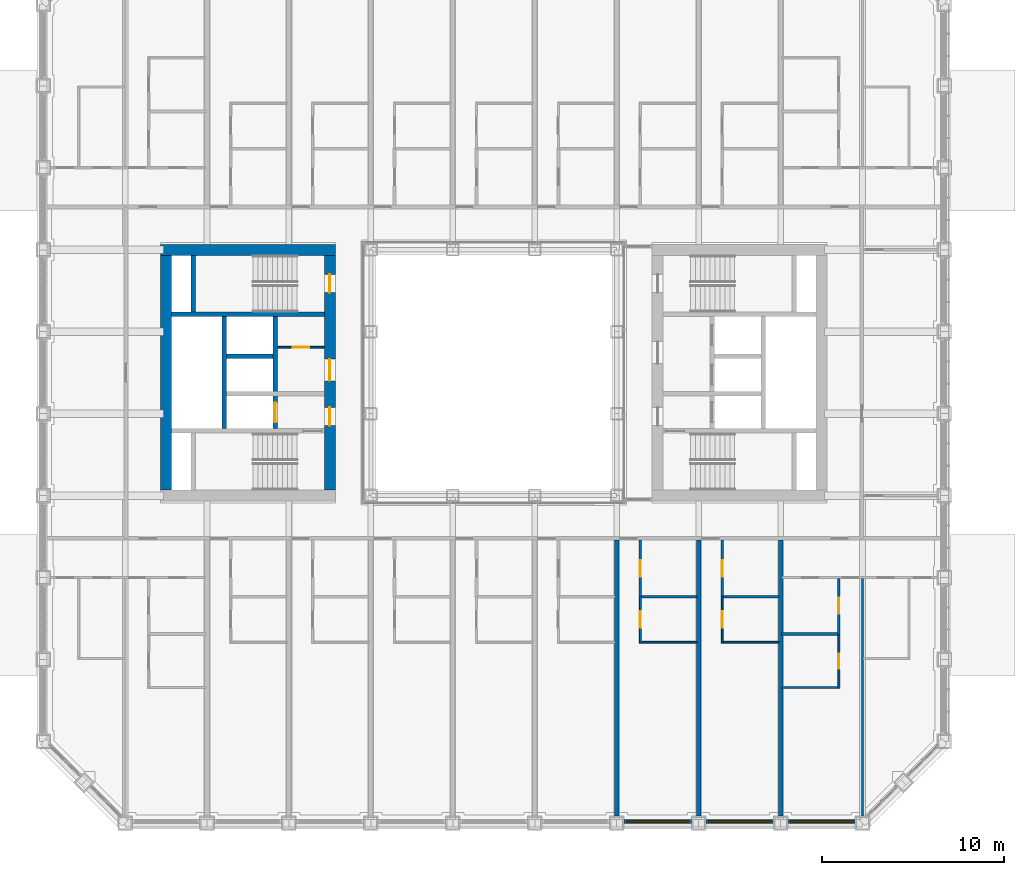
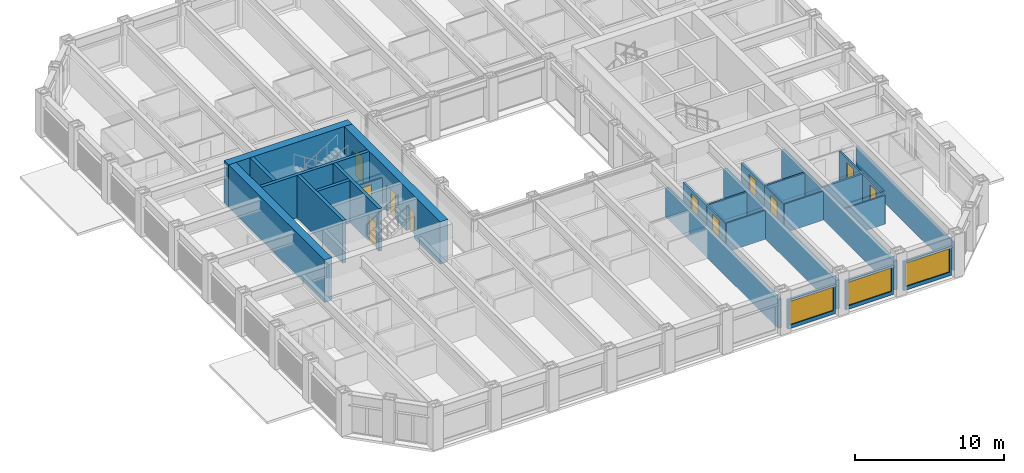
# One storey, part 14 of 24: 28 walls, 11 doors, 3 windows, 14 openings.
"""IFC4 building model written with IfcOpenShell, lengths in metres."""

from ifc_helpers import new_model, si_unit, direction, frame, frame_2d, origin, place, context, subcontext, project, spatial, rectangle, extrude, material, layer, layer_set, type_object, element, fill, save


model = new_model("IFC4")

# Units and contexts
model_context = context("Model", 3, precision=1e-05, world=origin(), true_north=direction((0.0, 1.0)))
body_context = subcontext(model_context, "Body", "Model", "MODEL_VIEW")
ifc_project = project(units=[si_unit("LENGTHUNIT", "METRE"), si_unit("AREAUNIT", "SQUARE_METRE"), si_unit("VOLUMEUNIT", "CUBIC_METRE"), si_unit("PLANEANGLEUNIT", "RADIAN"), si_unit("MASSUNIT", "GRAM", prefix="KILO")], contexts=[model_context])

# Site, building, storey
site_placement = place(None, origin())
site = spatial("IfcSite", under=ifc_project, at=site_placement, CompositionType="ELEMENT")
building_placement = place(site_placement, origin())
building = spatial("IfcBuilding", under=site, at=building_placement, Name="Msasa Ring Tower", CompositionType="ELEMENT")
storey_placement = place(building_placement, frame((0.0, 0.0, 26.5)))
storey = spatial("IfcBuildingStorey", under=building, at=storey_placement, Name="L05", CompositionType="ELEMENT", Elevation=26.5)

# Wall
ifc_material_1 = material(Name="Concrete C60/75", Category="concrete")
ifc_layer_1 = layer(ifc_material_1, 0.60009765625)
ifc_layer_set_1 = layer_set([ifc_layer_1], Name="CW1 CORE WALL 600")
wall_type_1 = type_object("IfcWallType", Name="CW1 CORE WALL 600", PredefinedType="SHEAR", material=ifc_layer_set_1)
wall_1_placement = place(storey_placement, frame((-8.699951171875, 6.75, 0.0), z_axis=(0.0, 0.0, 1.0), x_axis=(-1.0, 0.0, 0.0)))
element("IfcWall", 1, at=wall_1_placement, inside=storey, type_object=wall_type_1, Name="W core wall N L05", PredefinedType="SHEAR", context=body_context, shape_type="SweptSolid", body=[
    extrude(rectangle(XDim=9.60009765625, YDim=0.60009765625, at=frame_2d((4.800048828125, 0.0))), origin(), (0.0, 0.0, 1.0), 3.5),
])

# Wall, openings, doors
wall_2_placement = place(storey_placement, frame((-9.0, -6.449951171875, 0.0), z_axis=(0.0, 0.0, 1.0), x_axis=(0.0, 1.0, 0.0)))
wall_2 = element("IfcWall", 2, at=wall_2_placement, inside=storey, type_object=wall_type_1, Name="W core wall W L05", PredefinedType="SHEAR", context=body_context, shape_type="SweptSolid", body=[
    extrude(rectangle(XDim=12.89990234375, YDim=0.60009765625, at=frame_2d((6.449951171875, 0.0))), origin(), (0.0, 0.0, 1.0), 3.5),
])
opening_1_placement = place(wall_2_placement, frame((3.550048828125, 0.0, 0.0)))
opening_1 = element("IfcOpeningElement", 3, at=opening_1_placement, cuts=wall_2, Name="Opening RA-045", PredefinedType="OPENING", context=body_context, shape_type="SweptSolid", body=[
    extrude(rectangle(XDim=1.0, YDim=2.10009765625, at=frame_2d((0.5, 1.050048828125))), frame((0.0, 0.31005859375, 0.0), z_axis=(0.0, -1.0, 0.0), x_axis=(1.0, 0.0, 0.0)), (0.0, 0.0, 1.0), 0.6201171875),
])
opening_2_placement = place(wall_2_placement, frame((6.0, 0.0, 0.0)))
opening_2 = element("IfcOpeningElement", 4, at=opening_2_placement, cuts=wall_2, Name="Opening RA-042", PredefinedType="OPENING", context=body_context, shape_type="SweptSolid", body=[
    extrude(rectangle(XDim=1.199951171875, YDim=2.10009765625, at=frame_2d((0.60009765625, 1.050048828125))), frame((0.0, 0.31005859375, 0.0), z_axis=(0.0, -1.0, 0.0), x_axis=(1.0, 0.0, 0.0)), (0.0, 0.0, 1.0), 0.6201171875),
])
opening_3_placement = place(wall_2_placement, frame((10.85009765625, 0.0, 0.0)))
opening_3 = element("IfcOpeningElement", 5, at=opening_3_placement, cuts=wall_2, Name="Opening RA-038", PredefinedType="OPENING", context=body_context, shape_type="SweptSolid", body=[
    extrude(rectangle(XDim=1.0, YDim=2.10009765625, at=frame_2d((0.5, 1.050048828125))), frame((0.0, 0.31005859375, 0.0), z_axis=(0.0, -1.0, 0.0), x_axis=(1.0, 0.0, 0.0)), (0.0, 0.0, 1.0), 0.6201171875),
])
ifc_material_2 = material(Name="Timber door leaf in a steel frame", Category="steel")
door_type_1 = type_object("IfcDoorType", Name="D26 WIDE SERVICE ROOM DOOR 1200x2100", OperationType="SINGLE_SWING_LEFT", PredefinedType="DOOR", material=ifc_material_2)
door_1_placement = place(opening_2_placement, origin())
door_1 = element("IfcDoor", 6, at=door_1_placement, inside=storey, type_object=door_type_1, Name="Door L05-WCR", OperationType="SINGLE_SWING_RIGHT", OverallHeight=2.10009765625, OverallWidth=1.199951171875, PredefinedType="DOOR", context=body_context, shape_type="SweptSolid", body=[
    extrude(rectangle(XDim=1.199951171875, YDim=2.10009765625, at=frame_2d((0.60009765625, 1.050048828125))), frame((0.0, 0.02490234375, 0.0), z_axis=(0.0, -1.0, 0.0), x_axis=(1.0, 0.0, 0.0)), (0.0, 0.0, 1.0), 0.050048828125),
])
fill(opening_2, door_1)
ifc_material_3 = material(Name="Timber door leaf in a steel frame", Category="steel")
door_type_2 = type_object("IfcDoorType", Name="D4 LOBBY DOOR 1000x2100", OperationType="SINGLE_SWING_LEFT", PredefinedType="DOOR", material=ifc_material_3)
door_2_placement = place(opening_1_placement, origin())
door_2 = element("IfcDoor", 7, at=door_2_placement, inside=storey, type_object=door_type_2, Name="Door L05-WFFL", OperationType="SINGLE_SWING_LEFT", OverallHeight=2.10009765625, OverallWidth=1.0, PredefinedType="DOOR", context=body_context, shape_type="SweptSolid", body=[
    extrude(rectangle(XDim=1.0, YDim=2.10009765625, at=frame_2d((0.5, 1.050048828125))), frame((0.0, 0.02490234375, 0.0), z_axis=(0.0, -1.0, 0.0), x_axis=(1.0, 0.0, 0.0)), (0.0, 0.0, 1.0), 0.050048828125),
])
fill(opening_1, door_2)
ifc_material_4 = material(Name="Timber door leaf in a steel frame", Category="steel")
door_type_3 = type_object("IfcDoorType", Name="D6 STAIR DOOR 1000x2100", OperationType="SINGLE_SWING_LEFT", PredefinedType="DOOR", material=ifc_material_4)
door_3_placement = place(opening_3_placement, origin())
door_3 = element("IfcDoor", 8, at=door_3_placement, inside=storey, type_object=door_type_3, Name="Door L05-WSTB", OperationType="SINGLE_SWING_RIGHT", OverallHeight=2.10009765625, OverallWidth=1.0, PredefinedType="DOOR", context=body_context, shape_type="SweptSolid", body=[
    extrude(rectangle(XDim=1.0, YDim=2.10009765625, at=frame_2d((0.5, 1.050048828125))), frame((0.0, 0.02490234375, 0.0), z_axis=(0.0, -1.0, 0.0), x_axis=(1.0, 0.0, 0.0)), (0.0, 0.0, 1.0), 0.050048828125),
])
fill(opening_3, door_3)

# Walls
wall_3_placement = place(storey_placement, frame((-18.0, -6.449951171875, 0.0), z_axis=(0.0, 0.0, 1.0), x_axis=(0.0, 1.0, 0.0)))
element("IfcWall", 9, at=wall_3_placement, inside=storey, type_object=wall_type_1, Name="W core wall E L05", PredefinedType="SHEAR", context=body_context, shape_type="SweptSolid", body=[
    extrude(rectangle(XDim=12.89990234375, YDim=0.60009765625, at=frame_2d((6.449951171875, 0.0))), origin(), (0.0, 0.0, 1.0), 3.5),
])
ifc_material_5 = material(Name="Concrete C60/75", Category="concrete")
ifc_layer_2 = layer(ifc_material_5, 0.25)
ifc_layer_set_2 = layer_set([ifc_layer_2], Name="CW4 CORE INNER WALL 250")
wall_type_2 = type_object("IfcWallType", Name="CW4 CORE INNER WALL 250", PredefinedType="SHEAR", material=ifc_layer_set_2)
wall_4_placement = place(storey_placement, frame((-9.300048828125, 3.199951171875, 0.0), z_axis=(0.0, 0.0, 1.0), x_axis=(-1.0, 0.0, 0.0)))
element("IfcWall", 10, at=wall_4_placement, inside=storey, type_object=wall_type_2, Name="W core wall STAIRB L05", PredefinedType="SHEAR", context=body_context, shape_type="SweptSolid", body=[
    extrude(rectangle(XDim=8.39990234375, YDim=0.25, at=frame_2d((4.199951171875, 0.0))), origin(), (0.0, 0.0, 1.0), 3.5),
])
wall_5_placement = place(storey_placement, frame((-16.5, 3.324951171875, 0.0), z_axis=(0.0, 0.0, 1.0), x_axis=(0.0, 1.0, 0.0)))
element("IfcWall", 11, at=wall_5_placement, inside=storey, type_object=wall_type_2, Name="W core wall RISERB L05", PredefinedType="SHEAR", context=body_context, shape_type="SweptSolid", body=[
    extrude(rectangle(XDim=3.125, YDim=0.25, at=frame_2d((1.5625, 0.0))), origin(), (0.0, 0.0, 1.0), 3.5),
])

# Wall, opening, door
wall_6_placement = place(storey_placement, frame((-12.0, -3.074951171875, 0.0), z_axis=(0.0, 0.0, 1.0), x_axis=(0.0, 1.0, 0.0)))
wall_6 = element("IfcWall", 12, at=wall_6_placement, inside=storey, type_object=wall_type_2, Name="W core wall LOBBY L05", PredefinedType="SHEAR", context=body_context, shape_type="SweptSolid", body=[
    extrude(rectangle(XDim=6.14990234375, YDim=0.25, at=frame_2d((3.074951171875, 0.0))), origin(), (0.0, 0.0, 1.0), 3.5),
])
opening_4_placement = place(wall_6_placement, frame((0.35009765625, 0.0, 0.0)))
opening_4 = element("IfcOpeningElement", 13, at=opening_4_placement, cuts=wall_6, Name="Opening LD1", PredefinedType="OPENING", context=body_context, shape_type="SweptSolid", body=[
    extrude(rectangle(XDim=1.10009765625, YDim=2.10009765625, at=frame_2d((0.550048828125, 1.050048828125))), frame((0.0, 0.135009765625, 0.0), z_axis=(0.0, -1.0, 0.0), x_axis=(1.0, 0.0, 0.0)), (0.0, 0.0, 1.0), 0.27001953125),
])
ifc_material_6 = material(Name="Stainless steel lift landing door", Category="steel")
door_type_4 = type_object("IfcDoorType", Name="LD1 LIFT LANDING DOOR 1100x2100", OperationType="DOUBLE_DOOR_SLIDING", PredefinedType="DOOR", material=ifc_material_6)
door_4_placement = place(opening_4_placement, origin())
door_4 = element("IfcDoor", 14, at=door_4_placement, inside=storey, type_object=door_type_4, Name="Lift landing door FL-W L05", OperationType="DOUBLE_DOOR_SLIDING", OverallHeight=2.10009765625, OverallWidth=1.10009765625, PredefinedType="DOOR", context=body_context, shape_type="SweptSolid", body=[
    extrude(rectangle(XDim=1.10009765625, YDim=2.10009765625, at=frame_2d((0.550048828125, 1.050048828125))), frame((0.0, 0.02490234375, 0.0), z_axis=(0.0, -1.0, 0.0), x_axis=(1.0, 0.0, 0.0)), (0.0, 0.0, 1.0), 0.050048828125),
])
fill(opening_4, door_4)

# Walls
wall_7_placement = place(storey_placement, frame((-14.800048828125, -3.074951171875, 0.0), z_axis=(0.0, 0.0, 1.0), x_axis=(0.0, 1.0, 0.0)))
element("IfcWall", 15, at=wall_7_placement, inside=storey, type_object=wall_type_2, Name="W core wall SHAFT L05", PredefinedType="SHEAR", context=body_context, shape_type="SweptSolid", body=[
    extrude(rectangle(XDim=6.14990234375, YDim=0.25, at=frame_2d((3.074951171875, 0.0))), origin(), (0.0, 0.0, 1.0), 3.5),
])
wall_8_placement = place(storey_placement, frame((-12.125, 0.89990234375, 0.0), z_axis=(0.0, 0.0, 1.0), x_axis=(-1.0, 0.0, 0.0)))
element("IfcWall", 16, at=wall_8_placement, inside=storey, type_object=wall_type_2, Name="W core wall LIFT1 L05", PredefinedType="SHEAR", context=body_context, shape_type="SweptSolid", body=[
    extrude(rectangle(XDim=2.550048828125, YDim=0.25, at=frame_2d((1.27490234375, 0.0))), origin(), (0.0, 0.0, 1.0), 3.5),
])

# Wall, opening, window
ifc_material_7 = material(Name="Terracotta rainscreen on blockwork", Category="masonry")
ifc_layer_3 = layer(ifc_material_7, 0.199951171875)
ifc_layer_set_3 = layer_set([ifc_layer_3], Name="FW1 TERRACOTTA-LINED INFILL BAY WALL 200")
wall_type_3 = type_object("IfcWallType", Name="FW1 TERRACOTTA-LINED INFILL BAY WALL 200", PredefinedType="SOLIDWALL", material=ifc_layer_set_3)
wall_9_placement = place(storey_placement, frame((7.155029296875, -24.64990234375, 0.0), z_axis=(0.0, 0.0, 1.0), x_axis=(1.0, 0.0, 0.0)))
wall_9 = element("IfcWall", 17, at=wall_9_placement, inside=storey, type_object=wall_type_3, Name="Infill bay wall S L05 06", PredefinedType="SOLIDWALL", context=body_context, shape_type="SweptSolid", body=[
    extrude(rectangle(XDim=3.68994140625, YDim=0.199951171875, at=frame_2d((1.844970703125, 0.0))), origin(), (0.0, 0.0, 1.0), 2.37890625),
])
opening_5_placement = place(wall_9_placement, frame((0.14501953125, 0.0, 0.300048828125)))
opening_5 = element("IfcOpeningElement", 18, at=opening_5_placement, cuts=wall_9, Name="Opening WN1", PredefinedType="OPENING", context=body_context, shape_type="SweptSolid", body=[
    extrude(rectangle(XDim=3.39990234375, YDim=1.928955078125, at=frame_2d((1.699951171875, 0.96435546875))), frame((0.0, 0.10986328125, 0.0), z_axis=(0.0, -1.0, 0.0), x_axis=(1.0, 0.0, 0.0)), (0.0, 0.0, 1.0), 0.219970703125),
])
ifc_material_8 = material(Name="Aluminium frame with clear glass", Category="aluminium")
window_type = type_object("IfcWindowType", Name="WN1 RESIDENCE WINDOW 3400x1929", PartitioningType="SINGLE_PANEL", PredefinedType="WINDOW", material=ifc_material_8)
window_1_placement = place(opening_5_placement, origin())
window_1 = element("IfcWindow", 19, at=window_1_placement, inside=storey, type_object=window_type, Name="Window S L05 06", OverallHeight=1.928955078125, OverallWidth=3.39990234375, PartitioningType="SINGLE_PANEL", PredefinedType="WINDOW", context=body_context, shape_type="SweptSolid", body=[
    extrude(rectangle(XDim=3.39990234375, YDim=1.928955078125, at=frame_2d((1.699951171875, 0.96435546875))), frame((0.0, 0.030029296875, 0.0), z_axis=(0.0, -1.0, 0.0), x_axis=(1.0, 0.0, 0.0)), (0.0, 0.0, 1.0), 0.06005859375),
])
fill(opening_5, window_1)

wall_10_placement = place(storey_placement, frame((11.655029296875, -24.64990234375, 0.0), z_axis=(0.0, 0.0, 1.0), x_axis=(1.0, 0.0, 0.0)))
wall_10 = element("IfcWall", 20, at=wall_10_placement, inside=storey, type_object=wall_type_3, Name="Infill bay wall S L05 07", PredefinedType="SOLIDWALL", context=body_context, shape_type="SweptSolid", body=[
    extrude(rectangle(XDim=3.68994140625, YDim=0.199951171875, at=frame_2d((1.844970703125, 0.0))), origin(), (0.0, 0.0, 1.0), 2.37890625),
])
opening_6_placement = place(wall_10_placement, frame((0.14501953125, 0.0, 0.300048828125)))
opening_6 = element("IfcOpeningElement", 21, at=opening_6_placement, cuts=wall_10, Name="Opening WN1", PredefinedType="OPENING", context=body_context, shape_type="SweptSolid", body=[
    extrude(rectangle(XDim=3.39990234375, YDim=1.928955078125, at=frame_2d((1.699951171875, 0.96435546875))), frame((0.0, 0.10986328125, 0.0), z_axis=(0.0, -1.0, 0.0), x_axis=(1.0, 0.0, 0.0)), (0.0, 0.0, 1.0), 0.219970703125),
])
window_2_placement = place(opening_6_placement, origin())
window_2 = element("IfcWindow", 22, at=window_2_placement, inside=storey, type_object=window_type, Name="Window S L05 07", OverallHeight=1.928955078125, OverallWidth=3.39990234375, PartitioningType="SINGLE_PANEL", PredefinedType="WINDOW", context=body_context, shape_type="SweptSolid", body=[
    extrude(rectangle(XDim=3.39990234375, YDim=1.928955078125, at=frame_2d((1.699951171875, 0.96435546875))), frame((0.0, 0.030029296875, 0.0), z_axis=(0.0, -1.0, 0.0), x_axis=(1.0, 0.0, 0.0)), (0.0, 0.0, 1.0), 0.06005859375),
])
fill(opening_6, window_2)

wall_11_placement = place(storey_placement, frame((16.155029296875, -24.64990234375, 0.0), z_axis=(0.0, 0.0, 1.0), x_axis=(1.0, 0.0, 0.0)))
wall_11 = element("IfcWall", 23, at=wall_11_placement, inside=storey, type_object=wall_type_3, Name="Infill bay wall S L05 08", PredefinedType="SOLIDWALL", context=body_context, shape_type="SweptSolid", body=[
    extrude(rectangle(XDim=3.68994140625, YDim=0.199951171875, at=frame_2d((1.844970703125, 0.0))), origin(), (0.0, 0.0, 1.0), 2.37890625),
])
opening_7_placement = place(wall_11_placement, frame((0.14501953125, 0.0, 0.300048828125)))
opening_7 = element("IfcOpeningElement", 24, at=opening_7_placement, cuts=wall_11, Name="Opening WN1", PredefinedType="OPENING", context=body_context, shape_type="SweptSolid", body=[
    extrude(rectangle(XDim=3.39990234375, YDim=1.928955078125, at=frame_2d((1.699951171875, 0.96435546875))), frame((0.0, 0.10986328125, 0.0), z_axis=(0.0, -1.0, 0.0), x_axis=(1.0, 0.0, 0.0)), (0.0, 0.0, 1.0), 0.219970703125),
])
window_3_placement = place(opening_7_placement, origin())
window_3 = element("IfcWindow", 25, at=window_3_placement, inside=storey, type_object=window_type, Name="Window S L05 08", OverallHeight=1.928955078125, OverallWidth=3.39990234375, PartitioningType="SINGLE_PANEL", PredefinedType="WINDOW", context=body_context, shape_type="SweptSolid", body=[
    extrude(rectangle(XDim=3.39990234375, YDim=1.928955078125, at=frame_2d((1.699951171875, 0.96435546875))), frame((0.0, 0.030029296875, 0.0), z_axis=(0.0, -1.0, 0.0), x_axis=(1.0, 0.0, 0.0)), (0.0, 0.0, 1.0), 0.06005859375),
])
fill(opening_7, window_3)

# Wall
ifc_material_9 = material(Name="Gypsum board on steel studs", Category="steel")
ifc_layer_4 = layer(ifc_material_9, 0.10009765625)
ifc_layer_set_4 = layer_set([ifc_layer_4], Name="PT2 STUD PARTITION 100")
wall_type_4 = type_object("IfcWallType", Name="PT2 STUD PARTITION 100", PredefinedType="PARTITIONING", material=ifc_layer_set_4)
wall_12_placement = place(storey_placement, frame((8.10009765625, -14.800048828125, 0.0), z_axis=(0.0, 0.0, 1.0), x_axis=(1.0, 0.0, 0.0)))
element("IfcWall", 26, at=wall_12_placement, inside=storey, type_object=wall_type_4, Name="Partition L05-US06KY", PredefinedType="PARTITIONING", context=body_context, shape_type="SweptSolid", body=[
    extrude(rectangle(XDim=3.0498046875, YDim=0.10009765625, at=frame_2d((1.52490234375, 0.0))), origin(), (0.0, 0.0, 1.0), 2.373291015625),
])

# Wall, opening, door
wall_13_placement = place(storey_placement, frame((8.050048828125, -14.85009765625, 0.0), z_axis=(0.0, 0.0, 1.0), x_axis=(0.0, 1.0, 0.0)))
wall_13 = element("IfcWall", 27, at=wall_13_placement, inside=storey, type_object=wall_type_4, Name="Partition L05-US06KX", PredefinedType="PARTITIONING", context=body_context, shape_type="SweptSolid", body=[
    extrude(rectangle(XDim=2.550048828125, YDim=0.10009765625, at=frame_2d((1.27490234375, 0.0))), origin(), (0.0, 0.0, 1.0), 2.373291015625),
])
opening_8_placement = place(wall_13_placement, frame((0.840087890625, 0.0, 0.0)))
opening_8 = element("IfcOpeningElement", 28, at=opening_8_placement, cuts=wall_13, Name="Opening RA-082", PredefinedType="OPENING", context=body_context, shape_type="SweptSolid", body=[
    extrude(rectangle(XDim=0.89990234375, YDim=2.10009765625, at=frame_2d((0.449951171875, 1.050048828125))), frame((0.0, 0.06005859375, 0.0), z_axis=(0.0, -1.0, 0.0), x_axis=(1.0, 0.0, 0.0)), (0.0, 0.0, 1.0), 0.1201171875),
])
ifc_material_10 = material(Name="Timber door leaf in a steel frame", Category="steel")
door_type_5 = type_object("IfcDoorType", Name="D22 INTERNAL HALL DOOR 900x2100", OperationType="SINGLE_SWING_LEFT", PredefinedType="DOOR", material=ifc_material_10)
door_5_placement = place(opening_8_placement, origin())
door_5 = element("IfcDoor", 29, at=door_5_placement, inside=storey, type_object=door_type_5, Name="Door L05-US06K", OperationType="SINGLE_SWING_LEFT", OverallHeight=2.10009765625, OverallWidth=0.89990234375, PredefinedType="DOOR", context=body_context, shape_type="SweptSolid", body=[
    extrude(rectangle(XDim=0.89990234375, YDim=2.10009765625, at=frame_2d((0.449951171875, 1.050048828125))), frame((0.0, 0.02490234375, 0.0), z_axis=(0.0, -1.0, 0.0), x_axis=(1.0, 0.0, 0.0)), (0.0, 0.0, 1.0), 0.050048828125),
])
fill(opening_8, door_5)

# Wall
wall_14_placement = place(storey_placement, frame((12.60009765625, -14.800048828125, 0.0), z_axis=(0.0, 0.0, 1.0), x_axis=(1.0, 0.0, 0.0)))
element("IfcWall", 30, at=wall_14_placement, inside=storey, type_object=wall_type_4, Name="Partition L05-US07KY", PredefinedType="PARTITIONING", context=body_context, shape_type="SweptSolid", body=[
    extrude(rectangle(XDim=3.0498046875, YDim=0.10009765625, at=frame_2d((1.52490234375, 0.0))), origin(), (0.0, 0.0, 1.0), 2.373291015625),
])

# Wall, opening, door
wall_15_placement = place(storey_placement, frame((12.550048828125, -14.85009765625, 0.0), z_axis=(0.0, 0.0, 1.0), x_axis=(0.0, 1.0, 0.0)))
wall_15 = element("IfcWall", 31, at=wall_15_placement, inside=storey, type_object=wall_type_4, Name="Partition L05-US07KX", PredefinedType="PARTITIONING", context=body_context, shape_type="SweptSolid", body=[
    extrude(rectangle(XDim=2.550048828125, YDim=0.10009765625, at=frame_2d((1.27490234375, 0.0))), origin(), (0.0, 0.0, 1.0), 2.373291015625),
])
opening_9_placement = place(wall_15_placement, frame((0.840087890625, 0.0, 0.0)))
opening_9 = element("IfcOpeningElement", 32, at=opening_9_placement, cuts=wall_15, Name="Opening RA-083", PredefinedType="OPENING", context=body_context, shape_type="SweptSolid", body=[
    extrude(rectangle(XDim=0.89990234375, YDim=2.10009765625, at=frame_2d((0.449951171875, 1.050048828125))), frame((0.0, 0.06005859375, 0.0), z_axis=(0.0, -1.0, 0.0), x_axis=(1.0, 0.0, 0.0)), (0.0, 0.0, 1.0), 0.1201171875),
])
door_6_placement = place(opening_9_placement, origin())
door_6 = element("IfcDoor", 33, at=door_6_placement, inside=storey, type_object=door_type_5, Name="Door L05-US07K", OperationType="SINGLE_SWING_LEFT", OverallHeight=2.10009765625, OverallWidth=0.89990234375, PredefinedType="DOOR", context=body_context, shape_type="SweptSolid", body=[
    extrude(rectangle(XDim=0.89990234375, YDim=2.10009765625, at=frame_2d((0.449951171875, 1.050048828125))), frame((0.0, 0.02490234375, 0.0), z_axis=(0.0, -1.0, 0.0), x_axis=(1.0, 0.0, 0.0)), (0.0, 0.0, 1.0), 0.050048828125),
])
fill(opening_9, door_6)

# Wall
wall_16_placement = place(storey_placement, frame((20.25, -24.35009765625, 0.0), z_axis=(0.0, 0.0, 1.0), x_axis=(0.0, 1.0, 0.0)))
element("IfcWall", 34, at=wall_16_placement, inside=storey, type_object=wall_type_4, Name="Partition L05-US08P1", PredefinedType="PARTITIONING", context=body_context, shape_type="SweptSolid", body=[
    extrude(rectangle(XDim=13.050048828125, YDim=0.10009765625, at=frame_2d((6.52490234375, 0.0))), origin(), (0.0, 0.0, 1.0), 2.373291015625),
])

# Wall, opening, door
wall_17_placement = place(storey_placement, frame((18.949951171875, -17.3408203125, 0.0), z_axis=(0.0, 0.0, 1.0), x_axis=(0.0, 1.0, 0.0)))
wall_17 = element("IfcWall", 35, at=wall_17_placement, inside=storey, type_object=wall_type_4, Name="Partition L05-US08WX1", PredefinedType="PARTITIONING", context=body_context, shape_type="SweptSolid", body=[
    extrude(rectangle(XDim=2.94091796875, YDim=0.10009765625, at=frame_2d((1.470458984375, 0.0))), origin(), (0.0, 0.0, 1.0), 2.373291015625),
])
opening_10_placement = place(wall_17_placement, frame((1.095458984375, 0.0, 0.0)))
opening_10 = element("IfcOpeningElement", 36, at=opening_10_placement, cuts=wall_17, Name="Opening RA-085", PredefinedType="OPENING", context=body_context, shape_type="SweptSolid", body=[
    extrude(rectangle(XDim=0.800048828125, YDim=2.10009765625, at=frame_2d((0.39990234375, 1.050048828125))), frame((0.0, 0.06005859375, 0.0), z_axis=(0.0, -1.0, 0.0), x_axis=(1.0, 0.0, 0.0)), (0.0, 0.0, 1.0), 0.1201171875),
])
ifc_material_11 = material(Name="Timber door leaf in a steel frame", Category="steel")
door_type_6 = type_object("IfcDoorType", Name="D60 DRESSING ROOM DOOR 800x2100", OperationType="SINGLE_SWING_LEFT", PredefinedType="DOOR", material=ifc_material_11)
door_7_placement = place(opening_10_placement, origin())
door_7 = element("IfcDoor", 37, at=door_7_placement, inside=storey, type_object=door_type_6, Name="Door L05-US08W1", OperationType="SINGLE_SWING_LEFT", OverallHeight=2.10009765625, OverallWidth=0.800048828125, PredefinedType="DOOR", context=body_context, shape_type="SweptSolid", body=[
    extrude(rectangle(XDim=0.800048828125, YDim=2.10009765625, at=frame_2d((0.39990234375, 1.050048828125))), frame((0.0, 0.02490234375, 0.0), z_axis=(0.0, -1.0, 0.0), x_axis=(1.0, 0.0, 0.0)), (0.0, 0.0, 1.0), 0.050048828125),
])
fill(opening_10, door_7)

# Wall
wall_18_placement = place(storey_placement, frame((15.81005859375, -17.291015625, 0.0), z_axis=(0.0, 0.0, 1.0), x_axis=(1.0, 0.0, 0.0)))
element("IfcWall", 38, at=wall_18_placement, inside=storey, type_object=wall_type_4, Name="Partition L05-US08WY1", PredefinedType="PARTITIONING", context=body_context, shape_type="SweptSolid", body=[
    extrude(rectangle(XDim=3.139892578125, YDim=0.10009765625, at=frame_2d((1.56982421875, 0.0))), origin(), (0.0, 0.0, 1.0), 2.373291015625),
])

# Wall, opening, door
wall_19_placement = place(storey_placement, frame((-11.875, 1.39990234375, 0.0), z_axis=(0.0, 0.0, 1.0), x_axis=(1.0, 0.0, 0.0)))
wall_19 = element("IfcWall", 39, at=wall_19_placement, inside=storey, type_object=wall_type_4, Name="Partition L05-WCP", PredefinedType="PARTITIONING", context=body_context, shape_type="SweptSolid", body=[
    extrude(rectangle(XDim=2.574951171875, YDim=0.10009765625, at=frame_2d((1.28759765625, 0.0))), origin(), (0.0, 0.0, 1.0), 2.373291015625),
])
opening_11_placement = place(wall_19_placement, frame((0.83740234375, 0.0, 0.0)))
opening_11 = element("IfcOpeningElement", 40, at=opening_11_placement, cuts=wall_19, Name="Opening RA-040", PredefinedType="OPENING", context=body_context, shape_type="SweptSolid", body=[
    extrude(rectangle(XDim=0.89990234375, YDim=2.10009765625, at=frame_2d((0.449951171875, 1.050048828125))), frame((0.0, 0.06005859375, 0.0), z_axis=(0.0, -1.0, 0.0), x_axis=(1.0, 0.0, 0.0)), (0.0, 0.0, 1.0), 0.1201171875),
])
door_8_placement = place(opening_11_placement, origin())
door_8 = element("IfcDoor", 41, at=door_8_placement, inside=storey, type_object=door_type_5, Name="Door L05-WCP", OperationType="SINGLE_SWING_LEFT", OverallHeight=2.10009765625, OverallWidth=0.89990234375, PredefinedType="DOOR", context=body_context, shape_type="SweptSolid", body=[
    extrude(rectangle(XDim=0.89990234375, YDim=2.10009765625, at=frame_2d((0.449951171875, 1.050048828125))), frame((0.0, 0.02490234375, 0.0), z_axis=(0.0, -1.0, 0.0), x_axis=(1.0, 0.0, 0.0)), (0.0, 0.0, 1.0), 0.050048828125),
])
fill(opening_11, door_8)

# Walls
ifc_material_12 = material(Name="Dense concrete blockwork, plastered both faces", Category="masonry")
ifc_layer_5 = layer(ifc_material_12, 0.25)
ifc_layer_set_5 = layer_set([ifc_layer_5], Name="PT3 APARTMENT SEPARATING WALL 250")
wall_type_5 = type_object("IfcWallType", Name="PT3 APARTMENT SEPARATING WALL 250", PredefinedType="PARTITIONING", material=ifc_layer_set_5)
for number, where, z_axis, x_axis, name in (
    (42, (6.75, -24.35009765625, 0.0), (0.0, 0.0, 1.0), (0.0, 1.0, 0.0), "Party wall L05-PWS+6.75"),
    (43, (11.25, -24.35009765625, 0.0), (0.0, 0.0, 1.0), (0.0, 1.0, 0.0), "Party wall L05-PWS+11.25"),
    (44, (15.75, -24.35009765625, 0.0), (0.0, 0.0, 1.0), (0.0, 1.0, 0.0), "Party wall L05-PWS+15.75"),
):
    element("IfcWall", number, at=place(storey_placement, frame(where, z_axis=z_axis, x_axis=x_axis)), inside=storey, type_object=wall_type_5, Name=name, PredefinedType="PARTITIONING", context=body_context, shape_type="SweptSolid", body=[
        extrude(rectangle(XDim=15.150146484375, YDim=0.25, at=frame_2d((7.5751953125, 0.0))), origin(), (0.0, 0.0, 1.0), 2.373291015625),
    ])

# Wall, opening, door
ifc_material_13 = material(Name="Moisture-resistant board on steel studs with a concealed cistern and pipe void, tiled", Category="steel")
ifc_layer_6 = layer(ifc_material_13, 0.14990234375)
ifc_layer_set_6 = layer_set([ifc_layer_6], Name="PT4 BATHROOM WET WALL 150")
wall_type_6 = type_object("IfcWallType", Name="PT4 BATHROOM WET WALL 150", PredefinedType="PARTITIONING", material=ifc_layer_set_6)
wall_20_placement = place(storey_placement, frame((8.050048828125, -12.35009765625, 0.0), z_axis=(0.0, 0.0, 1.0), x_axis=(0.0, 1.0, 0.0)))
wall_20 = element("IfcWall", 45, at=wall_20_placement, inside=storey, type_object=wall_type_6, Name="Partition L05-US06BX", PredefinedType="PARTITIONING", context=body_context, shape_type="SweptSolid", body=[
    extrude(rectangle(XDim=3.150146484375, YDim=0.14990234375, at=frame_2d((1.5751953125, 0.0))), origin(), (0.0, 0.0, 1.0), 2.373291015625),
])
opening_12_placement = place(wall_20_placement, frame((1.14990234375, 0.0, 0.0)))
opening_12 = element("IfcOpeningElement", 46, at=opening_12_placement, cuts=wall_20, Name="Opening RA-065", PredefinedType="OPENING", context=body_context, shape_type="SweptSolid", body=[
    extrude(rectangle(XDim=0.89990234375, YDim=2.10009765625, at=frame_2d((0.449951171875, 1.050048828125))), frame((0.0, 0.0849609375, 0.0), z_axis=(0.0, -1.0, 0.0), x_axis=(1.0, 0.0, 0.0)), (0.0, 0.0, 1.0), 0.169921875),
])
ifc_material_14 = material(Name="Timber door leaf in a steel frame", Category="steel")
door_type_7 = type_object("IfcDoorType", Name="D3 BATHROOM DOOR 900x2100", OperationType="SINGLE_SWING_LEFT", PredefinedType="DOOR", material=ifc_material_14)
door_9_placement = place(opening_12_placement, origin())
door_9 = element("IfcDoor", 47, at=door_9_placement, inside=storey, type_object=door_type_7, Name="Door L05-US06B", OperationType="SINGLE_SWING_LEFT", OverallHeight=2.10009765625, OverallWidth=0.89990234375, PredefinedType="DOOR", context=body_context, shape_type="SweptSolid", body=[
    extrude(rectangle(XDim=0.89990234375, YDim=2.10009765625, at=frame_2d((0.449951171875, 1.050048828125))), frame((0.0, 0.02490234375, 0.0), z_axis=(0.0, -1.0, 0.0), x_axis=(1.0, 0.0, 0.0)), (0.0, 0.0, 1.0), 0.050048828125),
])
fill(opening_12, door_9)

# Wall
wall_21_placement = place(storey_placement, frame((8.10009765625, -12.300048828125, 0.0), z_axis=(0.0, 0.0, 1.0), x_axis=(1.0, 0.0, 0.0)))
element("IfcWall", 48, at=wall_21_placement, inside=storey, type_object=wall_type_6, Name="Partition L05-US06BY", PredefinedType="PARTITIONING", context=body_context, shape_type="SweptSolid", body=[
    extrude(rectangle(XDim=3.0498046875, YDim=0.14990234375, at=frame_2d((1.52490234375, 0.0))), origin(), (0.0, 0.0, 1.0), 2.373291015625),
])

# Wall, opening, door
wall_22_placement = place(storey_placement, frame((12.550048828125, -12.35009765625, 0.0), z_axis=(0.0, 0.0, 1.0), x_axis=(0.0, 1.0, 0.0)))
wall_22 = element("IfcWall", 49, at=wall_22_placement, inside=storey, type_object=wall_type_6, Name="Partition L05-US07BX", PredefinedType="PARTITIONING", context=body_context, shape_type="SweptSolid", body=[
    extrude(rectangle(XDim=3.150146484375, YDim=0.14990234375, at=frame_2d((1.5751953125, 0.0))), origin(), (0.0, 0.0, 1.0), 2.373291015625),
])
opening_13_placement = place(wall_22_placement, frame((1.14990234375, 0.0, 0.0)))
opening_13 = element("IfcOpeningElement", 50, at=opening_13_placement, cuts=wall_22, Name="Opening RA-066", PredefinedType="OPENING", context=body_context, shape_type="SweptSolid", body=[
    extrude(rectangle(XDim=0.89990234375, YDim=2.10009765625, at=frame_2d((0.449951171875, 1.050048828125))), frame((0.0, 0.0849609375, 0.0), z_axis=(0.0, -1.0, 0.0), x_axis=(1.0, 0.0, 0.0)), (0.0, 0.0, 1.0), 0.169921875),
])
door_10_placement = place(opening_13_placement, origin())
door_10 = element("IfcDoor", 51, at=door_10_placement, inside=storey, type_object=door_type_7, Name="Door L05-US07B", OperationType="SINGLE_SWING_LEFT", OverallHeight=2.10009765625, OverallWidth=0.89990234375, PredefinedType="DOOR", context=body_context, shape_type="SweptSolid", body=[
    extrude(rectangle(XDim=0.89990234375, YDim=2.10009765625, at=frame_2d((0.449951171875, 1.050048828125))), frame((0.0, 0.02490234375, 0.0), z_axis=(0.0, -1.0, 0.0), x_axis=(1.0, 0.0, 0.0)), (0.0, 0.0, 1.0), 0.050048828125),
])
fill(opening_13, door_10)

# Wall
wall_23_placement = place(storey_placement, frame((12.60009765625, -12.300048828125, 0.0), z_axis=(0.0, 0.0, 1.0), x_axis=(1.0, 0.0, 0.0)))
element("IfcWall", 52, at=wall_23_placement, inside=storey, type_object=wall_type_6, Name="Partition L05-US07BY", PredefinedType="PARTITIONING", context=body_context, shape_type="SweptSolid", body=[
    extrude(rectangle(XDim=3.0498046875, YDim=0.14990234375, at=frame_2d((1.52490234375, 0.0))), origin(), (0.0, 0.0, 1.0), 2.373291015625),
])

# Wall, opening, door
wall_24_placement = place(storey_placement, frame((18.949951171875, -14.39990234375, 0.0), z_axis=(0.0, 0.0, 1.0), x_axis=(0.0, 1.0, 0.0)))
wall_24 = element("IfcWall", 53, at=wall_24_placement, inside=storey, type_object=wall_type_6, Name="Partition L05-US08BX1", PredefinedType="PARTITIONING", context=body_context, shape_type="SweptSolid", body=[
    extrude(rectangle(XDim=3.099853515625, YDim=0.14990234375, at=frame_2d((1.5498046875, 0.0))), origin(), (0.0, 0.0, 1.0), 2.373291015625),
])
opening_14_placement = place(wall_24_placement, frame((1.14990234375, 0.0, 0.0)))
opening_14 = element("IfcOpeningElement", 54, at=opening_14_placement, cuts=wall_24, Name="Opening RA-076", PredefinedType="OPENING", context=body_context, shape_type="SweptSolid", body=[
    extrude(rectangle(XDim=0.89990234375, YDim=2.10009765625, at=frame_2d((0.449951171875, 1.050048828125))), frame((0.0, 0.0849609375, 0.0), z_axis=(0.0, -1.0, 0.0), x_axis=(1.0, 0.0, 0.0)), (0.0, 0.0, 1.0), 0.169921875),
])
door_11_placement = place(opening_14_placement, origin())
door_11 = element("IfcDoor", 55, at=door_11_placement, inside=storey, type_object=door_type_7, Name="Door L05-US08B1", OperationType="SINGLE_SWING_RIGHT", OverallHeight=2.10009765625, OverallWidth=0.89990234375, PredefinedType="DOOR", context=body_context, shape_type="SweptSolid", body=[
    extrude(rectangle(XDim=0.89990234375, YDim=2.10009765625, at=frame_2d((0.449951171875, 1.050048828125))), frame((0.0, 0.02490234375, 0.0), z_axis=(0.0, -1.0, 0.0), x_axis=(1.0, 0.0, 0.0)), (0.0, 0.0, 1.0), 0.050048828125),
])
fill(opening_14, door_11)

# Wall
wall_25_placement = place(storey_placement, frame((15.81005859375, -14.35009765625, 0.0), z_axis=(0.0, 0.0, 1.0), x_axis=(1.0, 0.0, 0.0)))
element("IfcWall", 56, at=wall_25_placement, inside=storey, type_object=wall_type_6, Name="Partition L05-US08BY1", PredefinedType="PARTITIONING", context=body_context, shape_type="SweptSolid", body=[
    extrude(rectangle(XDim=3.139892578125, YDim=0.14990234375, at=frame_2d((1.56982421875, 0.0))), origin(), (0.0, 0.0, 1.0), 2.373291015625),
])

save(model, "model.ifc")
